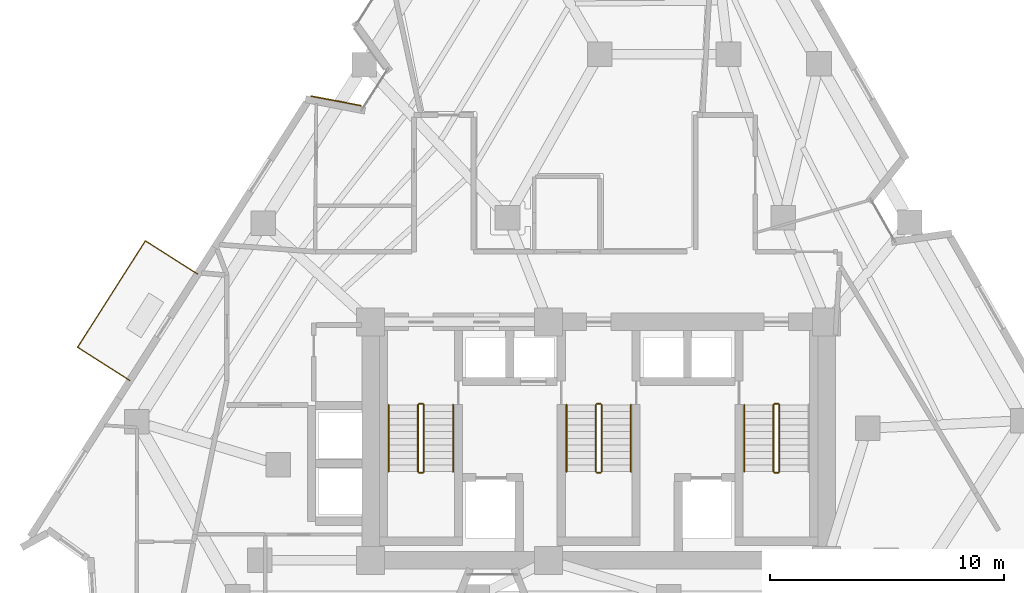
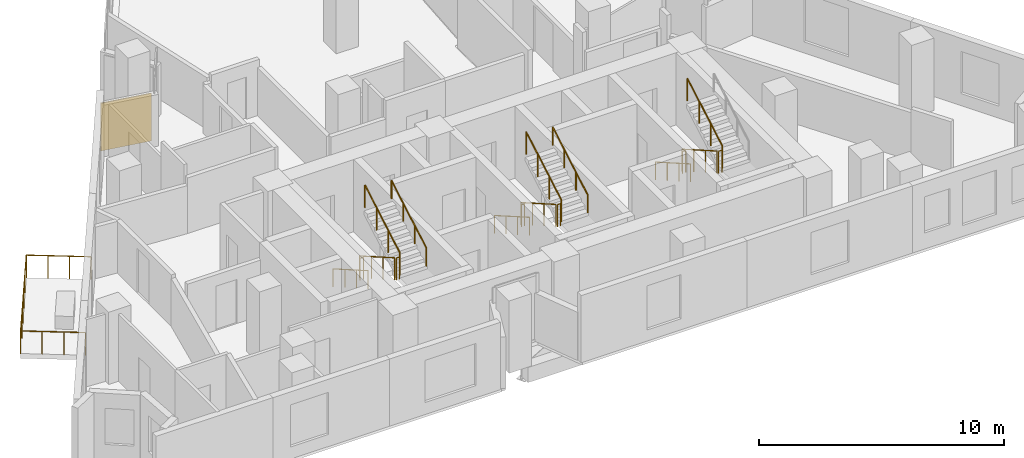
# One storey, part 10 of 11: 18 railings, 1 covering.
"""IFC4 building model written with IfcOpenShell, lengths in metres."""

from ifc_helpers import new_model, si_unit, direction, frame, origin, origin_2d, place, context, subcontext, project, spatial, rectangle, circle, extrude, material, layer, layer_set, type_object, element, save


model = new_model("IFC4")

# Units and contexts
model_context = context("Model", 3, precision=1e-05, world=origin(), true_north=direction((0.0, 1.0)))
body_context = subcontext(model_context, "Body", "Model", "MODEL_VIEW")
ifc_project = project(units=[si_unit("LENGTHUNIT", "METRE"), si_unit("AREAUNIT", "SQUARE_METRE"), si_unit("VOLUMEUNIT", "CUBIC_METRE"), si_unit("PLANEANGLEUNIT", "RADIAN"), si_unit("MASSUNIT", "GRAM", prefix="KILO")], contexts=[model_context])

# Site, building, storey
site_placement = place(None, origin())
site = spatial("IfcSite", under=ifc_project, at=site_placement, CompositionType="ELEMENT")
building_placement = place(site_placement, origin())
building = spatial("IfcBuilding", under=site, at=building_placement, Name="Almagre Mirador Tower", CompositionType="ELEMENT")
storey_placement = place(building_placement, frame((0.0, 0.0, 142.800048828125)))
storey = spatial("IfcBuildingStorey", under=building, at=storey_placement, Name="L36", CompositionType="ELEMENT", Elevation=142.800048828125)

# Covering
ifc_material_1 = material(Name="Almagre terracotta architectural cladding", Category="masonry")
ifc_layer = layer(ifc_material_1, 0.044921875)
ifc_layer_set = layer_set([ifc_layer], Name="Almagre terracotta architectural cladding")
covering_type = type_object("IfcCoveringType", Name="COV-CLAD-ALMAGRE", PredefinedType="CLADDING", material=ifc_layer_set)
covering_placement = place(storey_placement, frame((26.064453125, 24.202392578125, 0.099853515625), z_axis=(0.0, 0.0, 1.0), x_axis=(0.982234885695, -0.187655613624, 0.0)))
element("IfcCovering", 1, at=covering_placement, inside=storey, type_object=covering_type, Name="L36 almagre terracotta pier cladding", PredefinedType="CLADDING", context=body_context, shape_type="SweptSolid", body=[
    extrude(rectangle(XDim=2.193115234375, YDim=0.044921875, at=origin_2d()), origin(), (0.0, 0.0, 1.0), 2.375),
])

# Railings
ifc_material_2 = material(Name="Black anodized aluminium", Category="aluminium")
railing_type_1 = type_object("IfcRailingType", Name="RLG-BAL-1150", PredefinedType="BALUSTRADE", material=ifc_material_2)
railing_1_placement = place(storey_placement, frame((20.14990234375, 16.797119140625, 0.0)))
element("IfcRailing", 2, at=railing_1_placement, inside=storey, type_object=railing_type_1, Name="L36 west balcony balustrade 2", PredefinedType="BALUSTRADE", context=body_context, shape_type="SweptSolid", body=[
    extrude(circle(Radius=0.02392578125, at=origin_2d()), frame((0.0, 0.0, 1.1259765625), z_axis=(-0.843380639334, 0.537316570745, 0.0), x_axis=(-0.537316570745, -0.843380639334, 0.0)), (0.0, 0.0, 1.0), 2.64990234375),
    extrude(circle(Radius=0.02392578125, at=origin_2d()), frame((-2.23486328125, 1.423828125, 1.1259765625), z_axis=(-0.537208927139, -0.84344920926, 0.0), x_axis=(0.84344920926, -0.537208927139, 0.0)), (0.0, 0.0, 1.0), 5.400390625),
    extrude(circle(Radius=0.02392578125, at=origin_2d()), frame((-5.135986328125, -3.131103515625, 1.1259765625), z_axis=(0.843638730299, -0.536911252201, 0.0), x_axis=(0.536911252201, 0.843638730299, 0.0)), (0.0, 0.0, 1.0), 2.650634765625),
    extrude(circle(Radius=0.02099609375, at=origin_2d()), origin(), (0.0, 0.0, 1.0), 1.101806640625),
    extrude(circle(Radius=0.02099609375, at=origin_2d()), frame((-0.744873046875, 0.474609375, 0.0)), (0.0, 0.0, 1.0), 1.101806640625),
    extrude(circle(Radius=0.02099609375, at=origin_2d()), frame((-1.489990234375, 0.94921875, 0.0)), (0.0, 0.0, 1.0), 1.101806640625),
    extrude(circle(Radius=0.02099609375, at=origin_2d()), frame((-2.23486328125, 1.423828125, 0.0)), (0.0, 0.0, 1.0), 1.101806640625),
    extrude(circle(Radius=0.02099609375, at=origin_2d()), frame((-2.815185546875, 0.512939453125, 0.0)), (0.0, 0.0, 1.0), 1.101806640625),
    extrude(circle(Radius=0.02099609375, at=origin_2d()), frame((-3.395263671875, -0.398193359375, 0.0)), (0.0, 0.0, 1.0), 1.101806640625),
    extrude(circle(Radius=0.02099609375, at=origin_2d()), frame((-3.9755859375, -1.30908203125, 0.0)), (0.0, 0.0, 1.0), 1.101806640625),
    extrude(circle(Radius=0.02099609375, at=origin_2d()), frame((-4.5556640625, -2.22021484375, 0.0)), (0.0, 0.0, 1.0), 1.101806640625),
    extrude(circle(Radius=0.02099609375, at=origin_2d()), frame((-5.135986328125, -3.131103515625, 0.0)), (0.0, 0.0, 1.0), 1.101806640625),
    extrude(circle(Radius=0.02099609375, at=origin_2d()), frame((-4.390625, -3.60546875, 0.0)), (0.0, 0.0, 1.0), 1.101806640625),
    extrude(circle(Radius=0.02099609375, at=origin_2d()), frame((-3.645263671875, -4.079833984375, 0.0)), (0.0, 0.0, 1.0), 1.101806640625),
    extrude(circle(Radius=0.02099609375, at=origin_2d()), frame((-2.89990234375, -4.55419921875, 0.0)), (0.0, 0.0, 1.0), 1.101806640625),
])
ifc_material_3 = material(Name="Painted galvanized steel", Category="steel")
railing_type_2 = type_object("IfcRailingType", Name="RLG-GRD-1100", PredefinedType="GUARDRAIL", material=ifc_material_3)
railing_2_placement = place(storey_placement, frame((29.574951171875, 11.199951171875, 0.16357421875)))
element("IfcRailing", 3, at=railing_2_placement, inside=storey, type_object=railing_type_2, Name="L36 ST-1 stair guard 1", PredefinedType="GUARDRAIL", context=body_context, shape_type="SweptSolid", body=[
    extrude(circle(Radius=0.02392578125, at=origin_2d()), frame((0.0, 0.0, 1.09619140625), z_axis=(0.0, -0.867194282975, 0.497969954491), x_axis=(1.0, 0.0, 0.0)), (0.0, 0.0, 1.0), 3.286376953125),
    extrude(circle(Radius=0.02099609375, at=origin_2d()), origin(), (0.0, 0.0, 1.0), 1.072021484375),
    extrude(circle(Radius=0.02099609375, at=origin_2d()), frame((0.0, -0.949951171875, 0.54541015625)), (0.0, 0.0, 1.0), 1.072021484375),
    extrude(circle(Radius=0.02099609375, at=origin_2d()), frame((0.0, -1.89990234375, 1.091064453125)), (0.0, 0.0, 1.0), 1.072021484375),
    extrude(circle(Radius=0.02099609375, at=origin_2d()), frame((0.0, -2.849853515625, 1.636474609375)), (0.0, 0.0, 1.0), 1.072021484375),
])
railing_3_placement = place(storey_placement, frame((29.625, 8.300048828125, 1.800048828125)))
element("IfcRailing", 4, at=railing_3_placement, inside=storey, type_object=railing_type_2, Name="L36 ST-1 stair guard 2", PredefinedType="GUARDRAIL", context=body_context, shape_type="SweptSolid", body=[
    extrude(circle(Radius=0.02392578125, at=origin_2d()), frame((0.0, 0.0, 1.09619140625), z_axis=(1.0, 0.0, 0.0), x_axis=(0.0, 1.0, 0.0)), (0.0, 0.0, 1.0), 0.14990234375),
    extrude(circle(Radius=0.02099609375, at=origin_2d()), origin(), (0.0, 0.0, 1.0), 1.072021484375),
    extrude(circle(Radius=0.02099609375, at=origin_2d()), frame((0.14990234375, 0.0, 0.0)), (0.0, 0.0, 1.0), 1.072021484375),
])
railing_4_placement = place(storey_placement, frame((29.824951171875, 8.35009765625, 1.963623046875)))
element("IfcRailing", 5, at=railing_4_placement, inside=storey, type_object=railing_type_2, Name="L36 ST-1 stair guard 3", PredefinedType="GUARDRAIL", context=body_context, shape_type="SweptSolid", body=[
    extrude(circle(Radius=0.02392578125, at=origin_2d()), frame((0.0, 0.0, 1.09619140625), z_axis=(0.0, 0.867226363773, 0.497914082927), x_axis=(-1.0, 0.0, 0.0)), (0.0, 0.0, 1.0), 3.2861328125),
    extrude(circle(Radius=0.02099609375, at=origin_2d()), origin(), (0.0, 0.0, 1.0), 1.072021484375),
    extrude(circle(Radius=0.02099609375, at=origin_2d()), frame((0.0, 0.949951171875, 0.54541015625)), (0.0, 0.0, 1.0), 1.072021484375),
    extrude(circle(Radius=0.02099609375, at=origin_2d()), frame((0.0, 1.89990234375, 1.0908203125)), (0.0, 0.0, 1.0), 1.072021484375),
    extrude(circle(Radius=0.02099609375, at=origin_2d()), frame((0.0, 2.849853515625, 1.63623046875)), (0.0, 0.0, 1.0), 1.072021484375),
])
railing_5_placement = place(storey_placement, frame((29.625, 11.25, 0.0)))
element("IfcRailing", 6, at=railing_5_placement, inside=storey, type_object=railing_type_2, Name="L36 ST-1 stair guard 4", PredefinedType="GUARDRAIL", context=body_context, shape_type="SweptSolid", body=[
    extrude(circle(Radius=0.02392578125, at=origin_2d()), frame((0.0, 0.0, 1.09619140625), z_axis=(1.0, 0.0, 0.0), x_axis=(0.0, 1.0, 0.0)), (0.0, 0.0, 1.0), 0.14990234375),
    extrude(circle(Radius=0.02099609375, at=origin_2d()), origin(), (0.0, 0.0, 1.0), 1.072021484375),
    extrude(circle(Radius=0.02099609375, at=origin_2d()), frame((0.14990234375, 0.0, 0.0)), (0.0, 0.0, 1.0), 1.072021484375),
])
railing_6_placement = place(storey_placement, frame((37.175048828125, 11.199951171875, 0.16357421875)))
element("IfcRailing", 7, at=railing_6_placement, inside=storey, type_object=railing_type_2, Name="L36 ST-2 stair guard 1", PredefinedType="GUARDRAIL", context=body_context, shape_type="SweptSolid", body=[
    extrude(circle(Radius=0.02392578125, at=origin_2d()), frame((0.0, 0.0, 1.09619140625), z_axis=(0.0, -0.867194282975, 0.497969954491), x_axis=(1.0, 0.0, 0.0)), (0.0, 0.0, 1.0), 3.286376953125),
    extrude(circle(Radius=0.02099609375, at=origin_2d()), origin(), (0.0, 0.0, 1.0), 1.072021484375),
    extrude(circle(Radius=0.02099609375, at=origin_2d()), frame((0.0, -0.949951171875, 0.54541015625)), (0.0, 0.0, 1.0), 1.072021484375),
    extrude(circle(Radius=0.02099609375, at=origin_2d()), frame((0.0, -1.89990234375, 1.091064453125)), (0.0, 0.0, 1.0), 1.072021484375),
    extrude(circle(Radius=0.02099609375, at=origin_2d()), frame((0.0, -2.849853515625, 1.636474609375)), (0.0, 0.0, 1.0), 1.072021484375),
])
railing_7_placement = place(storey_placement, frame((37.22509765625, 8.300048828125, 1.800048828125)))
element("IfcRailing", 8, at=railing_7_placement, inside=storey, type_object=railing_type_2, Name="L36 ST-2 stair guard 2", PredefinedType="GUARDRAIL", context=body_context, shape_type="SweptSolid", body=[
    extrude(circle(Radius=0.02392578125, at=origin_2d()), frame((0.0, 0.0, 1.09619140625), z_axis=(1.0, 0.0, 0.0), x_axis=(0.0, 1.0, 0.0)), (0.0, 0.0, 1.0), 0.14990234375),
    extrude(circle(Radius=0.02099609375, at=origin_2d()), origin(), (0.0, 0.0, 1.0), 1.072021484375),
    extrude(circle(Radius=0.02099609375, at=origin_2d()), frame((0.14990234375, 0.0, 0.0)), (0.0, 0.0, 1.0), 1.072021484375),
])
railing_8_placement = place(storey_placement, frame((37.425048828125, 8.35009765625, 1.963623046875)))
element("IfcRailing", 9, at=railing_8_placement, inside=storey, type_object=railing_type_2, Name="L36 ST-2 stair guard 3", PredefinedType="GUARDRAIL", context=body_context, shape_type="SweptSolid", body=[
    extrude(circle(Radius=0.02392578125, at=origin_2d()), frame((0.0, 0.0, 1.09619140625), z_axis=(0.0, 0.867226363773, 0.497914082927), x_axis=(-1.0, 0.0, 0.0)), (0.0, 0.0, 1.0), 3.2861328125),
    extrude(circle(Radius=0.02099609375, at=origin_2d()), origin(), (0.0, 0.0, 1.0), 1.072021484375),
    extrude(circle(Radius=0.02099609375, at=origin_2d()), frame((0.0, 0.949951171875, 0.54541015625)), (0.0, 0.0, 1.0), 1.072021484375),
    extrude(circle(Radius=0.02099609375, at=origin_2d()), frame((0.0, 1.89990234375, 1.0908203125)), (0.0, 0.0, 1.0), 1.072021484375),
    extrude(circle(Radius=0.02099609375, at=origin_2d()), frame((0.0, 2.849853515625, 1.63623046875)), (0.0, 0.0, 1.0), 1.072021484375),
])
railing_9_placement = place(storey_placement, frame((37.22509765625, 11.25, 0.0)))
element("IfcRailing", 10, at=railing_9_placement, inside=storey, type_object=railing_type_2, Name="L36 ST-2 stair guard 4", PredefinedType="GUARDRAIL", context=body_context, shape_type="SweptSolid", body=[
    extrude(circle(Radius=0.02392578125, at=origin_2d()), frame((0.0, 0.0, 1.09619140625), z_axis=(1.0, 0.0, 0.0), x_axis=(0.0, 1.0, 0.0)), (0.0, 0.0, 1.0), 0.14990234375),
    extrude(circle(Radius=0.02099609375, at=origin_2d()), origin(), (0.0, 0.0, 1.0), 1.072021484375),
    extrude(circle(Radius=0.02099609375, at=origin_2d()), frame((0.14990234375, 0.0, 0.0)), (0.0, 0.0, 1.0), 1.072021484375),
])
railing_10_placement = place(storey_placement, frame((44.77490234375, 11.199951171875, 0.16357421875)))
element("IfcRailing", 11, at=railing_10_placement, inside=storey, type_object=railing_type_2, Name="L36 ST-3 stair guard 1", PredefinedType="GUARDRAIL", context=body_context, shape_type="SweptSolid", body=[
    extrude(circle(Radius=0.02392578125, at=origin_2d()), frame((0.0, 0.0, 1.09619140625), z_axis=(0.0, -0.867194282975, 0.497969954491), x_axis=(1.0, 0.0, 0.0)), (0.0, 0.0, 1.0), 3.286376953125),
    extrude(circle(Radius=0.02099609375, at=origin_2d()), origin(), (0.0, 0.0, 1.0), 1.072021484375),
    extrude(circle(Radius=0.02099609375, at=origin_2d()), frame((0.0, -0.949951171875, 0.54541015625)), (0.0, 0.0, 1.0), 1.072021484375),
    extrude(circle(Radius=0.02099609375, at=origin_2d()), frame((0.0, -1.89990234375, 1.091064453125)), (0.0, 0.0, 1.0), 1.072021484375),
    extrude(circle(Radius=0.02099609375, at=origin_2d()), frame((0.0, -2.849853515625, 1.636474609375)), (0.0, 0.0, 1.0), 1.072021484375),
])
railing_11_placement = place(storey_placement, frame((44.824951171875, 8.300048828125, 1.800048828125)))
element("IfcRailing", 12, at=railing_11_placement, inside=storey, type_object=railing_type_2, Name="L36 ST-3 stair guard 2", PredefinedType="GUARDRAIL", context=body_context, shape_type="SweptSolid", body=[
    extrude(circle(Radius=0.02392578125, at=origin_2d()), frame((0.0, 0.0, 1.09619140625), z_axis=(1.0, 0.0, 0.0), x_axis=(0.0, 1.0, 0.0)), (0.0, 0.0, 1.0), 0.150146484375),
    extrude(circle(Radius=0.02099609375, at=origin_2d()), origin(), (0.0, 0.0, 1.0), 1.072021484375),
    extrude(circle(Radius=0.02099609375, at=origin_2d()), frame((0.150146484375, 0.0, 0.0)), (0.0, 0.0, 1.0), 1.072021484375),
])
railing_12_placement = place(storey_placement, frame((45.02490234375, 8.35009765625, 1.963623046875)))
element("IfcRailing", 13, at=railing_12_placement, inside=storey, type_object=railing_type_2, Name="L36 ST-3 stair guard 3", PredefinedType="GUARDRAIL", context=body_context, shape_type="SweptSolid", body=[
    extrude(circle(Radius=0.02392578125, at=origin_2d()), frame((0.0, 0.0, 1.09619140625), z_axis=(0.0, 0.867226363773, 0.497914082927), x_axis=(-1.0, 0.0, 0.0)), (0.0, 0.0, 1.0), 3.2861328125),
    extrude(circle(Radius=0.02099609375, at=origin_2d()), origin(), (0.0, 0.0, 1.0), 1.072021484375),
    extrude(circle(Radius=0.02099609375, at=origin_2d()), frame((0.0, 0.949951171875, 0.54541015625)), (0.0, 0.0, 1.0), 1.072021484375),
    extrude(circle(Radius=0.02099609375, at=origin_2d()), frame((0.0, 1.89990234375, 1.0908203125)), (0.0, 0.0, 1.0), 1.072021484375),
    extrude(circle(Radius=0.02099609375, at=origin_2d()), frame((0.0, 2.849853515625, 1.63623046875)), (0.0, 0.0, 1.0), 1.072021484375),
])
railing_13_placement = place(storey_placement, frame((44.824951171875, 11.25, 0.0)))
element("IfcRailing", 14, at=railing_13_placement, inside=storey, type_object=railing_type_2, Name="L36 ST-3 stair guard 4", PredefinedType="GUARDRAIL", context=body_context, shape_type="SweptSolid", body=[
    extrude(circle(Radius=0.02392578125, at=origin_2d()), frame((0.0, 0.0, 1.09619140625), z_axis=(1.0, 0.0, 0.0), x_axis=(0.0, 1.0, 0.0)), (0.0, 0.0, 1.0), 0.150146484375),
    extrude(circle(Radius=0.02099609375, at=origin_2d()), origin(), (0.0, 0.0, 1.0), 1.072021484375),
    extrude(circle(Radius=0.02099609375, at=origin_2d()), frame((0.150146484375, 0.0, 0.0)), (0.0, 0.0, 1.0), 1.072021484375),
])
ifc_material_4 = material(Name="Brushed stainless steel", Category="steel")
railing_type_3 = type_object("IfcRailingType", Name="RLG-HND-915", PredefinedType="HANDRAIL", material=ifc_material_4)
railing_14_placement = place(storey_placement, frame((28.324951171875, 11.199951171875, 0.16357421875)))
element("IfcRailing", 15, at=railing_14_placement, inside=storey, type_object=railing_type_3, Name="L36 ST-1 stair handrail 1", PredefinedType="HANDRAIL", context=body_context, shape_type="SweptSolid", body=[
    extrude(circle(Radius=0.02392578125, at=origin_2d()), frame((0.0, 0.0, 0.89111328125), z_axis=(0.0, -0.867194282975, 0.497969954491), x_axis=(1.0, 0.0, 0.0)), (0.0, 0.0, 1.0), 3.286376953125),
    extrude(circle(Radius=0.02099609375, at=origin_2d()), origin(), (0.0, 0.0, 1.0), 0.866943359375),
    extrude(circle(Radius=0.02099609375, at=origin_2d()), frame((0.0, -0.949951171875, 0.54541015625)), (0.0, 0.0, 1.0), 0.866943359375),
    extrude(circle(Radius=0.02099609375, at=origin_2d()), frame((0.0, -1.89990234375, 1.091064453125)), (0.0, 0.0, 1.0), 0.866943359375),
    extrude(circle(Radius=0.02099609375, at=origin_2d()), frame((0.0, -2.849853515625, 1.636474609375)), (0.0, 0.0, 1.0), 0.866943359375),
])
railing_15_placement = place(storey_placement, frame((31.074951171875, 8.35009765625, 1.963623046875)))
element("IfcRailing", 16, at=railing_15_placement, inside=storey, type_object=railing_type_3, Name="L36 ST-1 stair handrail 2", PredefinedType="HANDRAIL", context=body_context, shape_type="SweptSolid", body=[
    extrude(circle(Radius=0.02392578125, at=origin_2d()), frame((0.0, 0.0, 0.89111328125), z_axis=(0.0, 0.867226363773, 0.497914082927), x_axis=(-1.0, 0.0, 0.0)), (0.0, 0.0, 1.0), 3.2861328125),
    extrude(circle(Radius=0.02099609375, at=origin_2d()), origin(), (0.0, 0.0, 1.0), 0.866943359375),
    extrude(circle(Radius=0.02099609375, at=origin_2d()), frame((0.0, 0.949951171875, 0.54541015625)), (0.0, 0.0, 1.0), 0.866943359375),
    extrude(circle(Radius=0.02099609375, at=origin_2d()), frame((0.0, 1.89990234375, 1.0908203125)), (0.0, 0.0, 1.0), 0.866943359375),
    extrude(circle(Radius=0.02099609375, at=origin_2d()), frame((0.0, 2.849853515625, 1.63623046875)), (0.0, 0.0, 1.0), 0.866943359375),
])
railing_16_placement = place(storey_placement, frame((35.925048828125, 11.199951171875, 0.16357421875)))
element("IfcRailing", 17, at=railing_16_placement, inside=storey, type_object=railing_type_3, Name="L36 ST-2 stair handrail 1", PredefinedType="HANDRAIL", context=body_context, shape_type="SweptSolid", body=[
    extrude(circle(Radius=0.02392578125, at=origin_2d()), frame((0.0, 0.0, 0.89111328125), z_axis=(0.0, -0.867194282975, 0.497969954491), x_axis=(1.0, 0.0, 0.0)), (0.0, 0.0, 1.0), 3.286376953125),
    extrude(circle(Radius=0.02099609375, at=origin_2d()), origin(), (0.0, 0.0, 1.0), 0.866943359375),
    extrude(circle(Radius=0.02099609375, at=origin_2d()), frame((0.0, -0.949951171875, 0.54541015625)), (0.0, 0.0, 1.0), 0.866943359375),
    extrude(circle(Radius=0.02099609375, at=origin_2d()), frame((0.0, -1.89990234375, 1.091064453125)), (0.0, 0.0, 1.0), 0.866943359375),
    extrude(circle(Radius=0.02099609375, at=origin_2d()), frame((0.0, -2.849853515625, 1.636474609375)), (0.0, 0.0, 1.0), 0.866943359375),
])
railing_17_placement = place(storey_placement, frame((38.675048828125, 8.35009765625, 1.963623046875)))
element("IfcRailing", 18, at=railing_17_placement, inside=storey, type_object=railing_type_3, Name="L36 ST-2 stair handrail 2", PredefinedType="HANDRAIL", context=body_context, shape_type="SweptSolid", body=[
    extrude(circle(Radius=0.02392578125, at=origin_2d()), frame((0.0, 0.0, 0.89111328125), z_axis=(0.0, 0.867226363773, 0.497914082927), x_axis=(-1.0, 0.0, 0.0)), (0.0, 0.0, 1.0), 3.2861328125),
    extrude(circle(Radius=0.02099609375, at=origin_2d()), origin(), (0.0, 0.0, 1.0), 0.866943359375),
    extrude(circle(Radius=0.02099609375, at=origin_2d()), frame((0.0, 0.949951171875, 0.54541015625)), (0.0, 0.0, 1.0), 0.866943359375),
    extrude(circle(Radius=0.02099609375, at=origin_2d()), frame((0.0, 1.89990234375, 1.0908203125)), (0.0, 0.0, 1.0), 0.866943359375),
    extrude(circle(Radius=0.02099609375, at=origin_2d()), frame((0.0, 2.849853515625, 1.63623046875)), (0.0, 0.0, 1.0), 0.866943359375),
])
railing_18_placement = place(storey_placement, frame((43.52490234375, 11.199951171875, 0.16357421875)))
element("IfcRailing", 19, at=railing_18_placement, inside=storey, type_object=railing_type_3, Name="L36 ST-3 stair handrail 1", PredefinedType="HANDRAIL", context=body_context, shape_type="SweptSolid", body=[
    extrude(circle(Radius=0.02392578125, at=origin_2d()), frame((0.0, 0.0, 0.89111328125), z_axis=(0.0, -0.867194282975, 0.497969954491), x_axis=(1.0, 0.0, 0.0)), (0.0, 0.0, 1.0), 3.286376953125),
    extrude(circle(Radius=0.02099609375, at=origin_2d()), origin(), (0.0, 0.0, 1.0), 0.866943359375),
    extrude(circle(Radius=0.02099609375, at=origin_2d()), frame((0.0, -0.949951171875, 0.54541015625)), (0.0, 0.0, 1.0), 0.866943359375),
    extrude(circle(Radius=0.02099609375, at=origin_2d()), frame((0.0, -1.89990234375, 1.091064453125)), (0.0, 0.0, 1.0), 0.866943359375),
    extrude(circle(Radius=0.02099609375, at=origin_2d()), frame((0.0, -2.849853515625, 1.636474609375)), (0.0, 0.0, 1.0), 0.866943359375),
])

save(model, "model.ifc")
